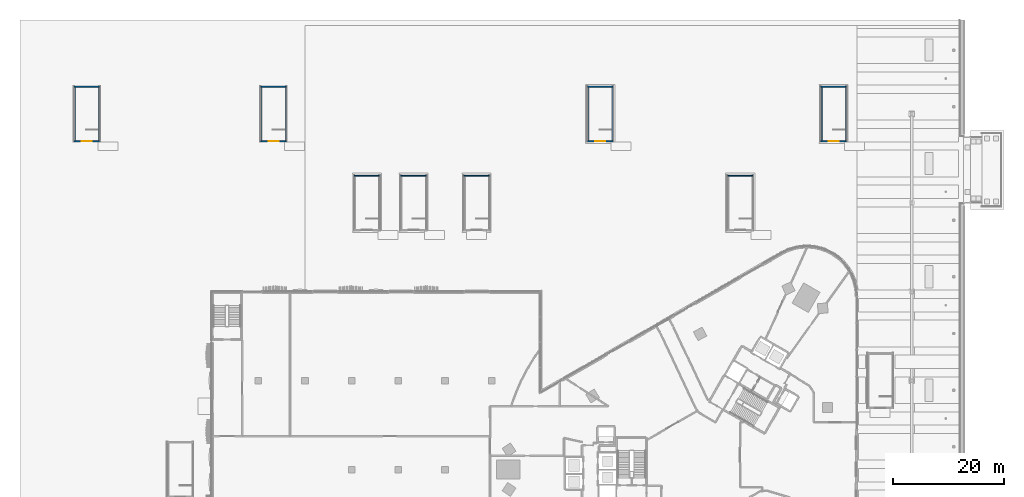
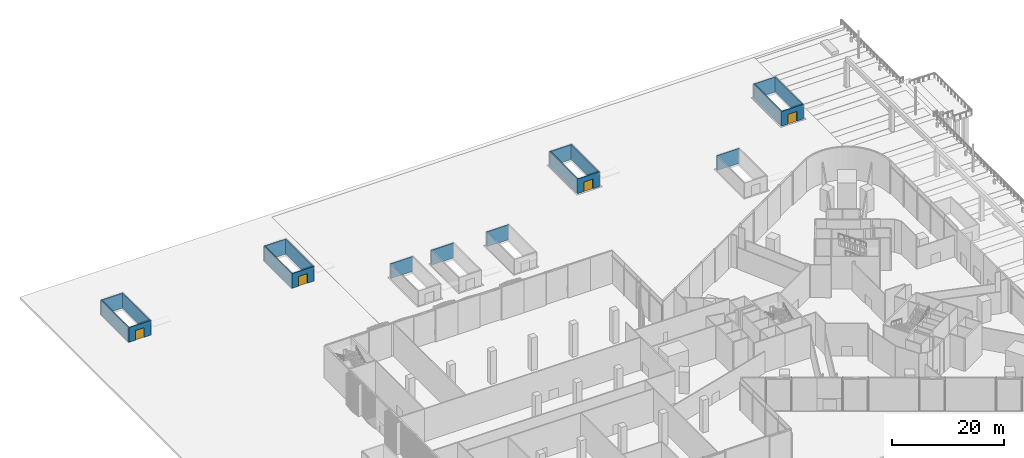
# One storey, part 25 of 41: 20 walls, 4 doors, 4 openings.
"""IFC4 building model written with IfcOpenShell, lengths in metres."""

from ifc_helpers import new_model, si_unit, direction, frame, frame_2d, origin, place, context, subcontext, project, spatial, rectangle, extrude, material, layer, layer_set, type_object, element, fill, save


model = new_model("IFC4")

# Units and contexts
model_context = context("Model", 3, precision=1e-05, world=origin(), true_north=direction((0.0, 1.0)))
body_context = subcontext(model_context, "Body", "Model", "MODEL_VIEW")
ifc_project = project(units=[si_unit("LENGTHUNIT", "METRE"), si_unit("AREAUNIT", "SQUARE_METRE"), si_unit("VOLUMEUNIT", "CUBIC_METRE"), si_unit("PLANEANGLEUNIT", "RADIAN"), si_unit("MASSUNIT", "GRAM", prefix="KILO")], contexts=[model_context])

# Site, building, storey
site_placement = place(None, origin())
site = spatial("IfcSite", under=ifc_project, at=site_placement, CompositionType="ELEMENT")
building_placement = place(site_placement, origin())
building = spatial("IfcBuilding", under=site, at=building_placement, Name="Tamra Quay Hotel Tower", CompositionType="ELEMENT")
storey_placement = place(building_placement, origin())
storey = spatial("IfcBuildingStorey", under=building, at=storey_placement, Name="L00", CompositionType="ELEMENT", Elevation=0.0)

# Walls
ifc_material_1 = material(Name="Concrete M70", Category="concrete")
ifc_layer = layer(ifc_material_1, 0.199951171875)
ifc_layer_set = layer_set([ifc_layer], Name="Concrete M70 stair enclosure wall 200")
wall_type = type_object("IfcWallType", Name="Concrete M70 stair enclosure wall 200", PredefinedType="SOLIDWALL", material=ifc_layer_set)
for number, where, z_axis, x_axis, name in (
    (1, (-113.75, 59.199951171875, 0.0), (0.0, 0.0, 1.0), (0.0, 1.0, 0.0), "SEW"),
    (2, (-109.39990234375, 59.199951171875, 0.0), (0.0, 0.0, 1.0), (0.0, 1.0, 0.0), "SEW"),
):
    element("IfcWall", number, at=place(storey_placement, frame(where, z_axis=z_axis, x_axis=x_axis)), inside=storey, type_object=wall_type, Name=name, PredefinedType="SOLIDWALL", context=body_context, shape_type="SweptSolid", body=[
        extrude(rectangle(XDim=9.60009765625, YDim=0.199951171875, at=frame_2d((4.800048828125, 0.0))), origin(), (0.0, 0.0, 1.0), 3.199951171875),
    ])

# Wall, opening, door
wall_1_placement = place(storey_placement, frame((-109.300048828125, 59.10009765625, 0.0), z_axis=(0.0, 0.0, 1.0), x_axis=(-1.0, 0.0, 0.0)))
wall_1 = element("IfcWall", 3, at=wall_1_placement, inside=storey, type_object=wall_type, Name="SEW", PredefinedType="SOLIDWALL", context=body_context, shape_type="SweptSolid", body=[
    extrude(rectangle(XDim=4.550048828125, YDim=0.199951171875, at=frame_2d((2.27490234375, 0.0))), origin(), (0.0, 0.0, 1.0), 3.199951171875),
])
opening_1_placement = place(wall_1_placement, frame((1.375, 0.0, 0.0)))
opening_1 = element("IfcOpeningElement", 4, at=opening_1_placement, cuts=wall_1, Name="Opening SD2", PredefinedType="OPENING", context=body_context, shape_type="SweptSolid", body=[
    extrude(rectangle(XDim=1.800048828125, YDim=2.10009765625, at=frame_2d((0.89990234375, 1.050048828125))), frame((0.0, 0.10986328125, 0.0), z_axis=(0.0, -1.0, 0.0), x_axis=(1.0, 0.0, 0.0)), (0.0, 0.0, 1.0), 0.219970703125),
])
ifc_material_2 = material(Name="Stair discharge door 1800 x 2100")
door_type = type_object("IfcDoorType", Name="Stair discharge door 1800 x 2100", OperationType="DOUBLE_DOOR_SINGLE_SWING", PredefinedType="DOOR", material=ifc_material_2)
door_1_placement = place(opening_1_placement, origin())
door_1 = element("IfcDoor", 5, at=door_1_placement, inside=storey, type_object=door_type, Name="SD2", OperationType="DOUBLE_DOOR_SINGLE_SWING", OverallHeight=2.10009765625, OverallWidth=1.800048828125, PredefinedType="DOOR", context=body_context, shape_type="SweptSolid", body=[
    extrude(rectangle(XDim=1.800048828125, YDim=2.10009765625, at=frame_2d((0.89990234375, 1.050048828125))), frame((0.0, 0.02490234375, 0.0), z_axis=(0.0, -1.0, 0.0), x_axis=(1.0, 0.0, 0.0)), (0.0, 0.0, 1.0), 0.050048828125),
])
fill(opening_1, door_1)

# Walls
wall_2_placement = place(storey_placement, frame((-113.85009765625, 68.89990234375, 0.0), z_axis=(0.0, 0.0, 1.0), x_axis=(1.0, 0.0, 0.0)))
element("IfcWall", 6, at=wall_2_placement, inside=storey, type_object=wall_type, Name="SEW", PredefinedType="SOLIDWALL", context=body_context, shape_type="SweptSolid", body=[
    extrude(rectangle(XDim=4.550048828125, YDim=0.199951171875, at=frame_2d((2.27490234375, 0.0))), origin(), (0.0, 0.0, 1.0), 3.199951171875),
])
for number, where, z_axis, x_axis, name in (
    (7, (-80.14990234375, 59.199951171875, 0.0), (0.0, 0.0, 1.0), (0.0, 1.0, 0.0), "SEW"),
    (8, (-75.800048828125, 59.199951171875, 0.0), (0.0, 0.0, 1.0), (0.0, 1.0, 0.0), "SEW"),
):
    element("IfcWall", number, at=place(storey_placement, frame(where, z_axis=z_axis, x_axis=x_axis)), inside=storey, type_object=wall_type, Name=name, PredefinedType="SOLIDWALL", context=body_context, shape_type="SweptSolid", body=[
        extrude(rectangle(XDim=9.60009765625, YDim=0.199951171875, at=frame_2d((4.800048828125, 0.0))), origin(), (0.0, 0.0, 1.0), 3.199951171875),
    ])

# Wall, opening, door
wall_3_placement = place(storey_placement, frame((-75.699951171875, 59.10009765625, 0.0), z_axis=(0.0, 0.0, 1.0), x_axis=(-1.0, 0.0, 0.0)))
wall_3 = element("IfcWall", 9, at=wall_3_placement, inside=storey, type_object=wall_type, Name="SEW", PredefinedType="SOLIDWALL", context=body_context, shape_type="SweptSolid", body=[
    extrude(rectangle(XDim=4.550048828125, YDim=0.199951171875, at=frame_2d((2.27490234375, 0.0))), origin(), (0.0, 0.0, 1.0), 3.199951171875),
])
opening_2_placement = place(wall_3_placement, frame((1.375, 0.0, 0.0)))
opening_2 = element("IfcOpeningElement", 10, at=opening_2_placement, cuts=wall_3, Name="Opening SD2", PredefinedType="OPENING", context=body_context, shape_type="SweptSolid", body=[
    extrude(rectangle(XDim=1.800048828125, YDim=2.10009765625, at=frame_2d((0.89990234375, 1.050048828125))), frame((0.0, 0.10986328125, 0.0), z_axis=(0.0, -1.0, 0.0), x_axis=(1.0, 0.0, 0.0)), (0.0, 0.0, 1.0), 0.219970703125),
])
door_2_placement = place(opening_2_placement, origin())
door_2 = element("IfcDoor", 11, at=door_2_placement, inside=storey, type_object=door_type, Name="SD2", OperationType="DOUBLE_DOOR_SINGLE_SWING", OverallHeight=2.10009765625, OverallWidth=1.800048828125, PredefinedType="DOOR", context=body_context, shape_type="SweptSolid", body=[
    extrude(rectangle(XDim=1.800048828125, YDim=2.10009765625, at=frame_2d((0.89990234375, 1.050048828125))), frame((0.0, 0.02490234375, 0.0), z_axis=(0.0, -1.0, 0.0), x_axis=(1.0, 0.0, 0.0)), (0.0, 0.0, 1.0), 0.050048828125),
])
fill(opening_2, door_2)

# Walls
for number, where, z_axis, x_axis, name in (
    (12, (-80.25, 68.89990234375, 0.0), (0.0, 0.0, 1.0), (1.0, 0.0, 0.0), "SEW"),
    (13, (-63.449951171875, 52.89990234375, 0.0), (0.0, 0.0, 1.0), (1.0, 0.0, 0.0), "SEW"),
    (14, (-55.050048828125, 52.89990234375, 0.0), (0.0, 0.0, 1.0), (1.0, 0.0, 0.0), "SEW"),
):
    element("IfcWall", number, at=place(storey_placement, frame(where, z_axis=z_axis, x_axis=x_axis)), inside=storey, type_object=wall_type, Name=name, PredefinedType="SOLIDWALL", context=body_context, shape_type="SweptSolid", body=[
        extrude(rectangle(XDim=4.550048828125, YDim=0.199951171875, at=frame_2d((2.27490234375, 0.0))), origin(), (0.0, 0.0, 1.0), 3.199951171875),
    ])
for number, where, z_axis, x_axis, name in (
    (15, (-21.35009765625, 59.199951171875, 0.0), (0.0, 0.0, 1.0), (0.0, 1.0, 0.0), "SEW"),
    (16, (-17.0, 59.199951171875, 0.0), (0.0, 0.0, 1.0), (0.0, 1.0, 0.0), "SEW"),
):
    element("IfcWall", number, at=place(storey_placement, frame(where, z_axis=z_axis, x_axis=x_axis)), inside=storey, type_object=wall_type, Name=name, PredefinedType="SOLIDWALL", context=body_context, shape_type="SweptSolid", body=[
        extrude(rectangle(XDim=9.60009765625, YDim=0.199951171875, at=frame_2d((4.800048828125, 0.0))), origin(), (0.0, 0.0, 1.0), 3.199951171875),
    ])

# Wall, opening, door
wall_4_placement = place(storey_placement, frame((-16.89990234375, 59.10009765625, 0.0), z_axis=(0.0, 0.0, 1.0), x_axis=(-1.0, 0.0, 0.0)))
wall_4 = element("IfcWall", 17, at=wall_4_placement, inside=storey, type_object=wall_type, Name="SEW", PredefinedType="SOLIDWALL", context=body_context, shape_type="SweptSolid", body=[
    extrude(rectangle(XDim=4.550048828125, YDim=0.199951171875, at=frame_2d((2.27490234375, 0.0))), origin(), (0.0, 0.0, 1.0), 3.199951171875),
])
opening_3_placement = place(wall_4_placement, frame((1.375, 0.0, 0.0)))
opening_3 = element("IfcOpeningElement", 18, at=opening_3_placement, cuts=wall_4, Name="Opening SD2", PredefinedType="OPENING", context=body_context, shape_type="SweptSolid", body=[
    extrude(rectangle(XDim=1.800048828125, YDim=2.10009765625, at=frame_2d((0.89990234375, 1.050048828125))), frame((0.0, 0.10986328125, 0.0), z_axis=(0.0, -1.0, 0.0), x_axis=(1.0, 0.0, 0.0)), (0.0, 0.0, 1.0), 0.219970703125),
])
door_3_placement = place(opening_3_placement, origin())
door_3 = element("IfcDoor", 19, at=door_3_placement, inside=storey, type_object=door_type, Name="SD2", OperationType="DOUBLE_DOOR_SINGLE_SWING", OverallHeight=2.10009765625, OverallWidth=1.800048828125, PredefinedType="DOOR", context=body_context, shape_type="SweptSolid", body=[
    extrude(rectangle(XDim=1.800048828125, YDim=2.10009765625, at=frame_2d((0.89990234375, 1.050048828125))), frame((0.0, 0.02490234375, 0.0), z_axis=(0.0, -1.0, 0.0), x_axis=(1.0, 0.0, 0.0)), (0.0, 0.0, 1.0), 0.050048828125),
])
fill(opening_3, door_3)

# Walls
for number, where, z_axis, x_axis, name in (
    (20, (-21.449951171875, 68.89990234375, 0.0), (0.0, 0.0, 1.0), (1.0, 0.0, 0.0), "SEW"),
    (21, (3.75, 52.89990234375, 0.0), (0.0, 0.0, 1.0), (1.0, 0.0, 0.0), "SEW"),
):
    element("IfcWall", number, at=place(storey_placement, frame(where, z_axis=z_axis, x_axis=x_axis)), inside=storey, type_object=wall_type, Name=name, PredefinedType="SOLIDWALL", context=body_context, shape_type="SweptSolid", body=[
        extrude(rectangle(XDim=4.550048828125, YDim=0.199951171875, at=frame_2d((2.27490234375, 0.0))), origin(), (0.0, 0.0, 1.0), 3.199951171875),
    ])
for number, where, z_axis, x_axis, name in (
    (22, (20.64990234375, 59.199951171875, 0.0), (0.0, 0.0, 1.0), (0.0, 1.0, 0.0), "SEW"),
    (23, (25.0, 59.199951171875, 0.0), (0.0, 0.0, 1.0), (0.0, 1.0, 0.0), "SEW"),
):
    element("IfcWall", number, at=place(storey_placement, frame(where, z_axis=z_axis, x_axis=x_axis)), inside=storey, type_object=wall_type, Name=name, PredefinedType="SOLIDWALL", context=body_context, shape_type="SweptSolid", body=[
        extrude(rectangle(XDim=9.60009765625, YDim=0.199951171875, at=frame_2d((4.800048828125, 0.0))), origin(), (0.0, 0.0, 1.0), 3.199951171875),
    ])

# Wall, opening, door
wall_5_placement = place(storey_placement, frame((25.10009765625, 59.10009765625, 0.0), z_axis=(0.0, 0.0, 1.0), x_axis=(-1.0, 0.0, 0.0)))
wall_5 = element("IfcWall", 24, at=wall_5_placement, inside=storey, type_object=wall_type, Name="SEW", PredefinedType="SOLIDWALL", context=body_context, shape_type="SweptSolid", body=[
    extrude(rectangle(XDim=4.550048828125, YDim=0.199951171875, at=frame_2d((2.27490234375, 0.0))), origin(), (0.0, 0.0, 1.0), 3.199951171875),
])
opening_4_placement = place(wall_5_placement, frame((1.375, 0.0, 0.0)))
opening_4 = element("IfcOpeningElement", 25, at=opening_4_placement, cuts=wall_5, Name="Opening SD2", PredefinedType="OPENING", context=body_context, shape_type="SweptSolid", body=[
    extrude(rectangle(XDim=1.800048828125, YDim=2.10009765625, at=frame_2d((0.89990234375, 1.050048828125))), frame((0.0, 0.10986328125, 0.0), z_axis=(0.0, -1.0, 0.0), x_axis=(1.0, 0.0, 0.0)), (0.0, 0.0, 1.0), 0.219970703125),
])
door_4_placement = place(opening_4_placement, origin())
door_4 = element("IfcDoor", 26, at=door_4_placement, inside=storey, type_object=door_type, Name="SD2", OperationType="DOUBLE_DOOR_SINGLE_SWING", OverallHeight=2.10009765625, OverallWidth=1.800048828125, PredefinedType="DOOR", context=body_context, shape_type="SweptSolid", body=[
    extrude(rectangle(XDim=1.800048828125, YDim=2.10009765625, at=frame_2d((0.89990234375, 1.050048828125))), frame((0.0, 0.02490234375, 0.0), z_axis=(0.0, -1.0, 0.0), x_axis=(1.0, 0.0, 0.0)), (0.0, 0.0, 1.0), 0.050048828125),
])
fill(opening_4, door_4)

# Walls
for number, where, z_axis, x_axis, name in (
    (27, (20.550048828125, 68.89990234375, 0.0), (0.0, 0.0, 1.0), (1.0, 0.0, 0.0), "SEW"),
    (28, (-43.699951171875, 52.89990234375, 0.0), (0.0, 0.0, 1.0), (1.0, 0.0, 0.0), "SEW"),
):
    element("IfcWall", number, at=place(storey_placement, frame(where, z_axis=z_axis, x_axis=x_axis)), inside=storey, type_object=wall_type, Name=name, PredefinedType="SOLIDWALL", context=body_context, shape_type="SweptSolid", body=[
        extrude(rectangle(XDim=4.550048828125, YDim=0.199951171875, at=frame_2d((2.27490234375, 0.0))), origin(), (0.0, 0.0, 1.0), 3.199951171875),
    ])

save(model, "model.ifc")
